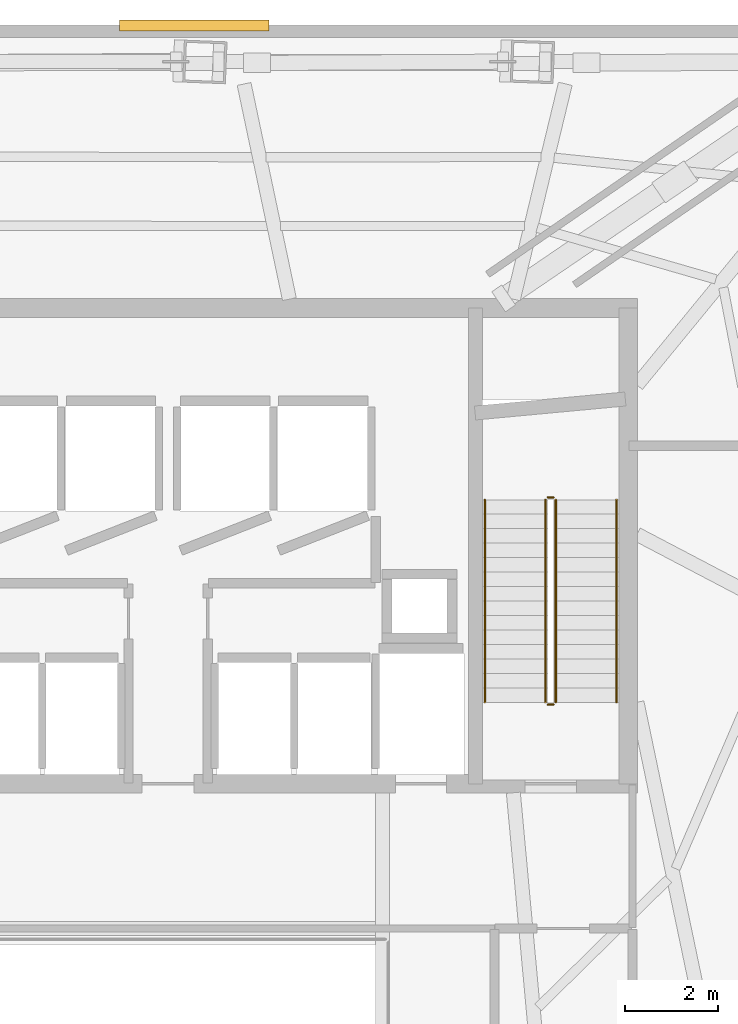
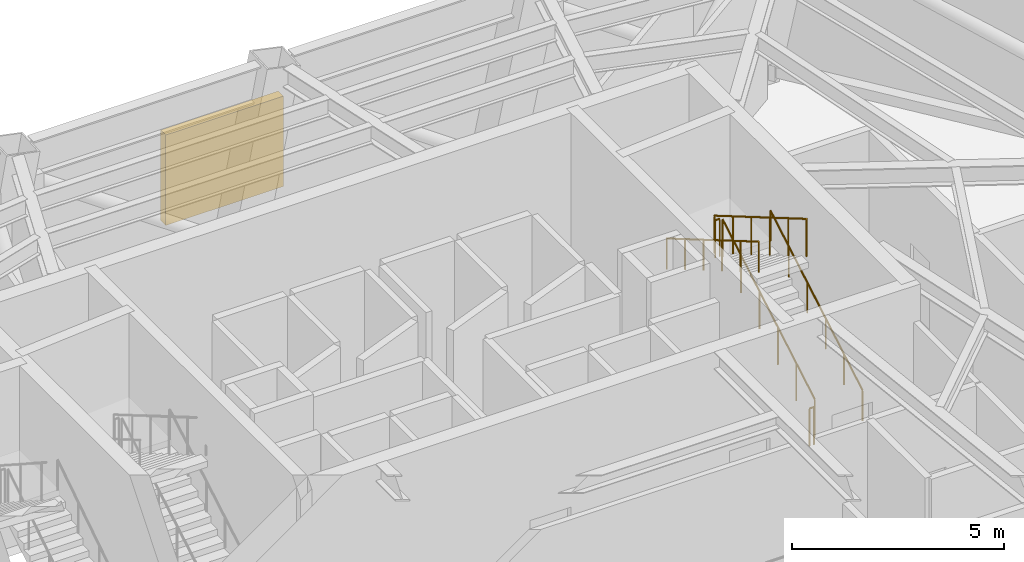
# One storey, part 9 of 9: 6 railings, 1 shading device.
"""IFC4 building model written with IfcOpenShell, lengths in metres."""

import ifcopenshell
import ifcopenshell.guid

model = None  # the IFC model being written
_history = None  # IfcOwnerHistory: only IFC2X3 demands one
_inside = {}  # id of a spatial element -> (the spatial element, [elements in it])
_under = {}  # id of a project, library or spatial element -> (it, [spatial elements below it])
_declared = {}  # id of a project -> (the project, [libraries it declares])
_typed = {}  # id of a type object -> (the type object, [elements of that type])
_made_of = {}  # id of a material, layer set ... -> (it, [elements and type objects made of it])


def new_model(schema):
    """Start an empty IFC model of exactly this schema.

    Asked for "IFC4X3", IfcOpenShell would pick the latest addendum, in which some entities
    have other attributes; the version numbers below select the first issue.
    IFC2X3 requires an IfcOwnerHistory on every rooted entity: one is made here for all.
    """
    global model, _history
    if schema == "IFC4X3":
        model = ifcopenshell.file(schema_version=(4, 3, 0, 0))
    else:
        model = ifcopenshell.file(schema=schema)
    _inside.clear()
    _under.clear()
    _declared.clear()
    _typed.clear()
    _made_of.clear()
    _history = None
    if model.schema == "IFC2X3":
        org = make("IfcOrganization", Name="unknown")
        user = make(
            "IfcPersonAndOrganization",
            ThePerson=make("IfcPerson", FamilyName="unknown"),
            TheOrganization=org,
        )
        app = make(
            "IfcApplication",
            ApplicationDeveloper=org,
            Version="unknown",
            ApplicationFullName="unknown",
            ApplicationIdentifier="unknown",
        )
        _history = make(
            "IfcOwnerHistory",
            OwningUser=user,
            OwningApplication=app,
            ChangeAction="ADDED",
            CreationDate=0,
        )
    return model


def make(cls, **values):
    """One entity of the class cls with the attributes given. An attribute that is None is left unset."""
    return model.create_entity(
        cls, **{name: value for name, value in values.items() if value is not None}
    )


def rooted(cls, **values):
    """An entity with a GlobalId (a new one), such as an element, a storey or a relation."""
    return make(cls, GlobalId=ifcopenshell.guid.new(), OwnerHistory=_history, **values)


def si_unit(unit_type, name, prefix=None):
    """IfcSIUnit, for example si_unit("LENGTHUNIT", "METRE", prefix="MILLI")."""
    return make("IfcSIUnit", UnitType=unit_type, Prefix=prefix, Name=name)


def assignment(units):
    """IfcUnitAssignment: the units of a project."""
    return None if units is None else make("IfcUnitAssignment", Units=units)


def point(xyz):
    """IfcCartesianPoint."""
    return None if xyz is None else make("IfcCartesianPoint", Coordinates=xyz)


def direction(xyz):
    """IfcDirection."""
    return None if xyz is None else make("IfcDirection", DirectionRatios=xyz)


def frame(location, z_axis=None, x_axis=None):
    """IfcAxis2Placement3D, a coordinate frame: its origin and axes. An axis left out is left unset."""
    return make(
        "IfcAxis2Placement3D",
        Location=point(location),
        Axis=direction(z_axis),
        RefDirection=direction(x_axis),
    )


def frame_2d(location, x_axis=None):
    """IfcAxis2Placement2D, a coordinate frame in the plane: its origin and x axis."""
    return make(
        "IfcAxis2Placement2D", Location=point(location), RefDirection=direction(x_axis)
    )


def origin():
    """The frame at (0, 0, 0) with its axes left unset."""
    return frame((0.0, 0.0, 0.0))


def origin_2d():
    """The frame at (0, 0) in the plane with its x axis left unset."""
    return frame_2d((0.0, 0.0))


def place(relative_to, where):
    """IfcLocalPlacement: puts the frame where relative to a parent placement (None: the world)."""
    return make(
        "IfcLocalPlacement", PlacementRelTo=relative_to, RelativePlacement=where
    )


def context(
    kind, dimensions, precision=None, world=None, true_north=None, identifier=None
):
    """IfcGeometricRepresentationContext, for example the 3D "Model" context."""
    return make(
        "IfcGeometricRepresentationContext",
        ContextIdentifier=identifier,
        ContextType=kind,
        CoordinateSpaceDimension=dimensions,
        Precision=precision,
        WorldCoordinateSystem=world,
        TrueNorth=true_north,
    )


def subcontext(parent, identifier, kind, view, scale=None):
    """IfcGeometricRepresentationSubContext, for example "Body" below "Model"."""
    return make(
        "IfcGeometricRepresentationSubContext",
        ContextIdentifier=identifier,
        ContextType=kind,
        ParentContext=parent,
        TargetScale=scale,
        TargetView=view,
    )


def project(units=None, contexts=None):
    """IfcProject with its units and contexts."""
    return rooted(
        "IfcProject",
        Name="project",
        RepresentationContexts=contexts,
        UnitsInContext=assignment(units),
    )


def spatial(cls, under=None, at=None, **own):
    """A site, building, storey or space (cls), placed at a placement, below another one or the project."""
    s = rooted(cls, ObjectPlacement=at, **own)
    if under is not None:
        _under.setdefault(under.id(), (under, []))[1].append(s)
    return s


def profile(cls, at=None, kind="AREA", **sizes):
    """A parametric profile (cls). Its sizes go by their IFC names, for example OverallWidth=200.0."""
    return make(cls, ProfileType=kind, Position=at, **sizes)


def rectangle(**sizes):
    """IfcRectangleProfileDef."""
    return profile("IfcRectangleProfileDef", **sizes)


def circle(**sizes):
    """IfcCircleProfileDef."""
    return profile("IfcCircleProfileDef", **sizes)


def extrude(swept, where, along, depth):
    """IfcExtrudedAreaSolid: the profile swept, set in the frame where, extruded along a direction by depth."""
    return make(
        "IfcExtrudedAreaSolid",
        SweptArea=swept,
        Position=where,
        ExtrudedDirection=direction(along),
        Depth=depth,
    )


def shape(context_of_items, identifier, shape_type, items):
    """IfcShapeRepresentation: the items that make up one representation, for example the "Body"."""
    return make(
        "IfcShapeRepresentation",
        ContextOfItems=context_of_items,
        RepresentationIdentifier=identifier,
        RepresentationType=shape_type,
        Items=items,
    )


def material(Name=None, Category=None):
    """IfcMaterial."""
    return make("IfcMaterial", Name=Name, Category=Category)


def made_of(thing, what):
    """Note that an element or type object is made of a material, layer set ...; save() writes the relation."""
    if what is not None:
        _made_of.setdefault(what.id(), (what, []))[1].append(thing)
    return thing


def type_object(cls, material=None, **own):
    """A type object (cls), such as IfcWallType, which elements share."""
    return made_of(rooted(cls, **own), material)


def element(
    cls,
    number,
    at=None,
    inside=None,
    cuts=None,
    type_object=None,
    material=None,
    context=None,
    identifier="Body",
    shape_type=None,
    held_by="IfcProductDefinitionShape",
    body=None,
    shapes=None,
    **own,
):
    """One element of the class cls, such as IfcWall. Its Tag is "e" and its number.

    at: its placement. inside: the storey or other place that contains it. cuts: it is an
    opening in that element (IfcRelVoidsElement). A single representation is given by context,
    identifier, shape_type and body (its items); several are given by shapes. held_by: the class
    of the entity that holds the representations. save() writes the other relations.
    """
    e = rooted(cls, Tag="e%d" % number, ObjectPlacement=at, **own)
    if body is not None:
        shapes = [shape(context, identifier, shape_type, body)]
    if shapes is not None:
        e.Representation = make(held_by, Representations=shapes)
    if inside is not None:
        _inside.setdefault(inside.id(), (inside, []))[1].append(e)
    if cuts is not None:
        rooted(
            "IfcRelVoidsElement", RelatingBuildingElement=cuts, RelatedOpeningElement=e
        )
    if type_object is not None:
        _typed.setdefault(type_object.id(), (type_object, []))[1].append(e)
    return made_of(e, material)


def aggregate(whole, parts):
    """IfcRelAggregates: a whole, such as a stair, and the parts it consists of."""
    return rooted("IfcRelAggregates", RelatingObject=whole, RelatedObjects=parts)


def save(model, path):
    """Write the relations noted so far, then the file.

    IfcRelAggregates (storeys below a building ...), IfcRelContainedInSpatialStructure (elements
    in a storey), IfcRelDefinesByType, IfcRelAssociatesMaterial and IfcRelDeclares: one each for
    every whole, place, type object, material and project.
    """
    for whole, parts in _under.values():
        aggregate(whole, parts)
    for where, things in _inside.values():
        rooted(
            "IfcRelContainedInSpatialStructure",
            RelatedElements=things,
            RelatingStructure=where,
        )
    for kind, things in _typed.values():
        rooted("IfcRelDefinesByType", RelatedObjects=things, RelatingType=kind)
    for what, things in _made_of.values():
        rooted("IfcRelAssociatesMaterial", RelatedObjects=things, RelatingMaterial=what)
    for by, libraries in _declared.values():
        rooted("IfcRelDeclares", RelatingContext=by, RelatedDefinitions=libraries)
    model.write(path)


model = new_model("IFC4")

# Units and contexts
model_context = context("Model", 3, precision=1e-05, world=origin(), true_north=direction((0.0, 1.0)))
body_context = subcontext(model_context, "Body", "Model", "MODEL_VIEW")
ifc_project = project(units=[si_unit("LENGTHUNIT", "METRE"), si_unit("AREAUNIT", "SQUARE_METRE"), si_unit("VOLUMEUNIT", "CUBIC_METRE"), si_unit("PLANEANGLEUNIT", "RADIAN"), si_unit("MASSUNIT", "GRAM", prefix="KILO")], contexts=[model_context])

# Site, building, storey
site_placement = place(None, origin())
site = spatial("IfcSite", under=ifc_project, at=site_placement, CompositionType="ELEMENT")
building_placement = place(site_placement, origin())
building = spatial("IfcBuilding", under=site, at=building_placement, Name="Zarrinselat Tower", CompositionType="ELEMENT")
storey_placement = place(building_placement, frame((0.0, 0.0, 109.139892578125)))
storey = spatial("IfcBuildingStorey", under=building, at=storey_placement, Name="L26", CompositionType="ELEMENT", Elevation=109.139892578125)

# Railings
ifc_material_1 = material(Name="Steel S355J2", Category="steel")
railing_type_1 = type_object("IfcRailingType", Name="RLG-STAIR-GUARD", PredefinedType="GUARDRAIL", material=ifc_material_1)
railing_1_placement = place(storey_placement, frame((46.7099609375, 35.0, 0.181396484375)))
element("IfcRailing", 1, at=railing_1_placement, inside=storey, type_object=railing_type_1, Name="L26 ST-2 stair guard 1", PredefinedType="GUARDRAIL", context=body_context, shape_type="SweptSolid", body=[
    extrude(circle(Radius=0.02392578125, at=origin_2d()), frame((0.0, 0.0, 1.076171875), z_axis=(0.0, 0.863163646601, 0.504924270744), x_axis=(-1.0, 0.0, 0.0)), (0.0, 0.0, 1.0), 5.028076171875),
    extrude(circle(Radius=0.02099609375, at=origin_2d()), origin(), (0.0, 0.0, 1.0), 1.050048828125),
    extrude(circle(Radius=0.02099609375, at=origin_2d()), frame((0.0, 0.867919921875, 0.5078125)), (0.0, 0.0, 1.0), 1.050048828125),
    extrude(circle(Radius=0.02099609375, at=origin_2d()), frame((0.0, 1.736083984375, 1.015625)), (0.0, 0.0, 1.0), 1.050048828125),
    extrude(circle(Radius=0.02099609375, at=origin_2d()), frame((0.0, 2.60400390625, 1.523193359375)), (0.0, 0.0, 1.0), 1.050048828125),
    extrude(circle(Radius=0.02099609375, at=origin_2d()), frame((0.0, 3.47216796875, 2.031005859375)), (0.0, 0.0, 1.0), 1.050048828125),
    extrude(circle(Radius=0.02099609375, at=origin_2d()), frame((0.0, 4.340087890625, 2.538818359375)), (0.0, 0.0, 1.0), 1.050048828125),
])
railing_2_placement = place(storey_placement, frame((46.659912109375, 39.389892578125, 2.72021484375)))
element("IfcRailing", 2, at=railing_2_placement, inside=storey, type_object=railing_type_1, Name="L26 ST-2 stair guard 2", PredefinedType="GUARDRAIL", context=body_context, shape_type="SweptSolid", body=[
    extrude(circle(Radius=0.02392578125, at=origin_2d()), frame((0.0, 0.0, 1.076171875), z_axis=(-1.0, 0.0, 0.0), x_axis=(0.0, -1.0, 0.0)), (0.0, 0.0, 1.0), 0.119873046875),
    extrude(circle(Radius=0.02099609375, at=origin_2d()), origin(), (0.0, 0.0, 1.0), 1.050048828125),
    extrude(circle(Radius=0.02099609375, at=origin_2d()), frame((-0.119873046875, 0.0, 0.0)), (0.0, 0.0, 1.0), 1.050048828125),
])
railing_3_placement = place(storey_placement, frame((46.489990234375, 39.340087890625, 2.9013671875)))
element("IfcRailing", 3, at=railing_3_placement, inside=storey, type_object=railing_type_1, Name="L26 ST-2 stair guard 3", PredefinedType="GUARDRAIL", context=body_context, shape_type="SweptSolid", body=[
    extrude(circle(Radius=0.02392578125, at=origin_2d()), frame((0.0, 0.0, 1.076171875), z_axis=(0.0, -0.863163646601, 0.504924270744), x_axis=(1.0, 0.0, 0.0)), (0.0, 0.0, 1.0), 5.028076171875),
    extrude(circle(Radius=0.02099609375, at=origin_2d()), origin(), (0.0, 0.0, 1.0), 1.050048828125),
    extrude(circle(Radius=0.02099609375, at=origin_2d()), frame((0.0, -0.867919921875, 0.5078125)), (0.0, 0.0, 1.0), 1.050048828125),
    extrude(circle(Radius=0.02099609375, at=origin_2d()), frame((0.0, -1.736083984375, 1.015625)), (0.0, 0.0, 1.0), 1.050048828125),
    extrude(circle(Radius=0.02099609375, at=origin_2d()), frame((0.0, -2.60400390625, 1.523193359375)), (0.0, 0.0, 1.0), 1.050048828125),
    extrude(circle(Radius=0.02099609375, at=origin_2d()), frame((0.0, -3.47216796875, 2.031005859375)), (0.0, 0.0, 1.0), 1.050048828125),
    extrude(circle(Radius=0.02099609375, at=origin_2d()), frame((0.0, -4.340087890625, 2.538818359375)), (0.0, 0.0, 1.0), 1.050048828125),
])
railing_4_placement = place(storey_placement, frame((46.659912109375, 34.949951171875, 0.0)))
element("IfcRailing", 4, at=railing_4_placement, inside=storey, type_object=railing_type_1, Name="L26 ST-2 stair guard 4", PredefinedType="GUARDRAIL", context=body_context, shape_type="SweptSolid", body=[
    extrude(circle(Radius=0.02392578125, at=origin_2d()), frame((0.0, 0.0, 1.076171875), z_axis=(-1.0, 0.0, 0.0), x_axis=(0.0, -1.0, 0.0)), (0.0, 0.0, 1.0), 0.119873046875),
    extrude(circle(Radius=0.02099609375, at=origin_2d()), origin(), (0.0, 0.0, 1.0), 1.050048828125),
    extrude(circle(Radius=0.02099609375, at=origin_2d()), frame((-0.119873046875, 0.0, 0.0)), (0.0, 0.0, 1.0), 1.050048828125),
])
ifc_material_2 = material(Name="Steel S355J2", Category="steel")
railing_type_2 = type_object("IfcRailingType", Name="RLG-STAIR-HAND", PredefinedType="HANDRAIL", material=ifc_material_2)
railing_5_placement = place(storey_placement, frame((48.010009765625, 35.0, 0.181396484375)))
element("IfcRailing", 5, at=railing_5_placement, inside=storey, type_object=railing_type_2, Name="L26 ST-2 stair handrail 1", PredefinedType="HANDRAIL", context=body_context, shape_type="SweptSolid", body=[
    extrude(circle(Radius=0.02392578125, at=origin_2d()), frame((0.0, 0.0, 0.8759765625), z_axis=(0.0, 0.863163646601, 0.504924270744), x_axis=(-1.0, 0.0, 0.0)), (0.0, 0.0, 1.0), 5.028076171875),
    extrude(circle(Radius=0.02099609375, at=origin_2d()), origin(), (0.0, 0.0, 1.0), 0.849853515625),
    extrude(circle(Radius=0.02099609375, at=origin_2d()), frame((0.0, 0.867919921875, 0.5078125)), (0.0, 0.0, 1.0), 0.849853515625),
    extrude(circle(Radius=0.02099609375, at=origin_2d()), frame((0.0, 1.736083984375, 1.015625)), (0.0, 0.0, 1.0), 0.849853515625),
    extrude(circle(Radius=0.02099609375, at=origin_2d()), frame((0.0, 2.60400390625, 1.523193359375)), (0.0, 0.0, 1.0), 0.849853515625),
    extrude(circle(Radius=0.02099609375, at=origin_2d()), frame((0.0, 3.47216796875, 2.031005859375)), (0.0, 0.0, 1.0), 0.849853515625),
    extrude(circle(Radius=0.02099609375, at=origin_2d()), frame((0.0, 4.340087890625, 2.538818359375)), (0.0, 0.0, 1.0), 0.849853515625),
])
railing_6_placement = place(storey_placement, frame((45.18994140625, 39.340087890625, 2.9013671875)))
element("IfcRailing", 6, at=railing_6_placement, inside=storey, type_object=railing_type_2, Name="L26 ST-2 stair handrail 2", PredefinedType="HANDRAIL", context=body_context, shape_type="SweptSolid", body=[
    extrude(circle(Radius=0.02392578125, at=origin_2d()), frame((0.0, 0.0, 0.8759765625), z_axis=(0.0, -0.863163646601, 0.504924270744), x_axis=(1.0, 0.0, 0.0)), (0.0, 0.0, 1.0), 5.028076171875),
    extrude(circle(Radius=0.02099609375, at=origin_2d()), origin(), (0.0, 0.0, 1.0), 0.849853515625),
    extrude(circle(Radius=0.02099609375, at=origin_2d()), frame((0.0, -0.867919921875, 0.5078125)), (0.0, 0.0, 1.0), 0.849853515625),
    extrude(circle(Radius=0.02099609375, at=origin_2d()), frame((0.0, -1.736083984375, 1.015625)), (0.0, 0.0, 1.0), 0.849853515625),
    extrude(circle(Radius=0.02099609375, at=origin_2d()), frame((0.0, -2.60400390625, 1.523193359375)), (0.0, 0.0, 1.0), 0.849853515625),
    extrude(circle(Radius=0.02099609375, at=origin_2d()), frame((0.0, -3.47216796875, 2.031005859375)), (0.0, 0.0, 1.0), 0.849853515625),
    extrude(circle(Radius=0.02099609375, at=origin_2d()), frame((0.0, -4.340087890625, 2.538818359375)), (0.0, 0.0, 1.0), 0.849853515625),
])

# Shading device
ifc_material_3 = material(Name="Extruded Aluminium Alloy EN AW-6063 T6", Category="aluminium")
shading_device_type = type_object("IfcShadingDeviceType", Name="SHD-PLANT-LOUVRE", PredefinedType="JALOUSIE", material=ifc_material_3)
shading_device_placement = place(storey_placement, frame((38.96044921875, 49.50341796875, 0.800048828125), z_axis=(0.0, 0.0, 1.0), x_axis=(-1.0, 0.0, 0.0)))
element("IfcShadingDevice", 7, at=shading_device_placement, inside=storey, type_object=shading_device_type, Name="L26 Acoustic Plant Intake Louvre 1", PredefinedType="JALOUSIE", context=body_context, shape_type="SweptSolid", body=[
    extrude(rectangle(XDim=3.199951171875, YDim=0.239990234375, at=origin_2d()), origin(), (0.0, 0.0, 1.0), 2.60009765625),
])

save(model, "model.ifc")
